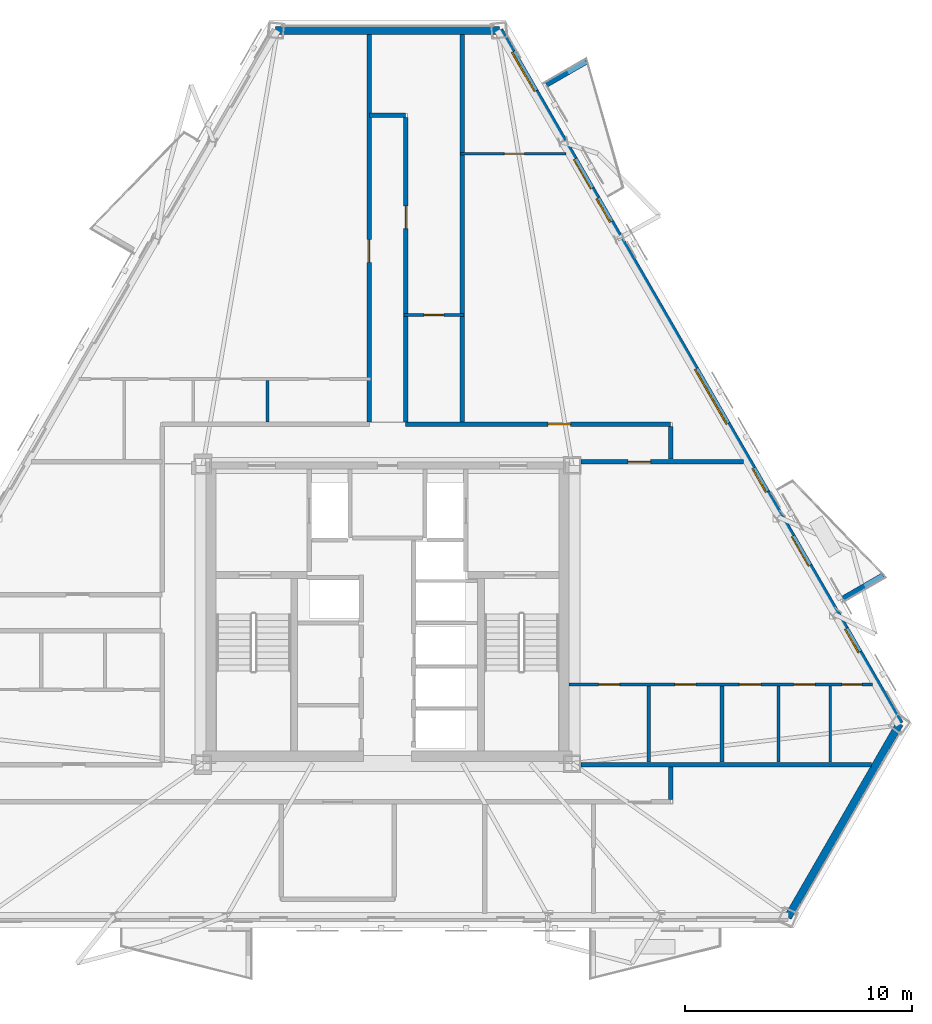
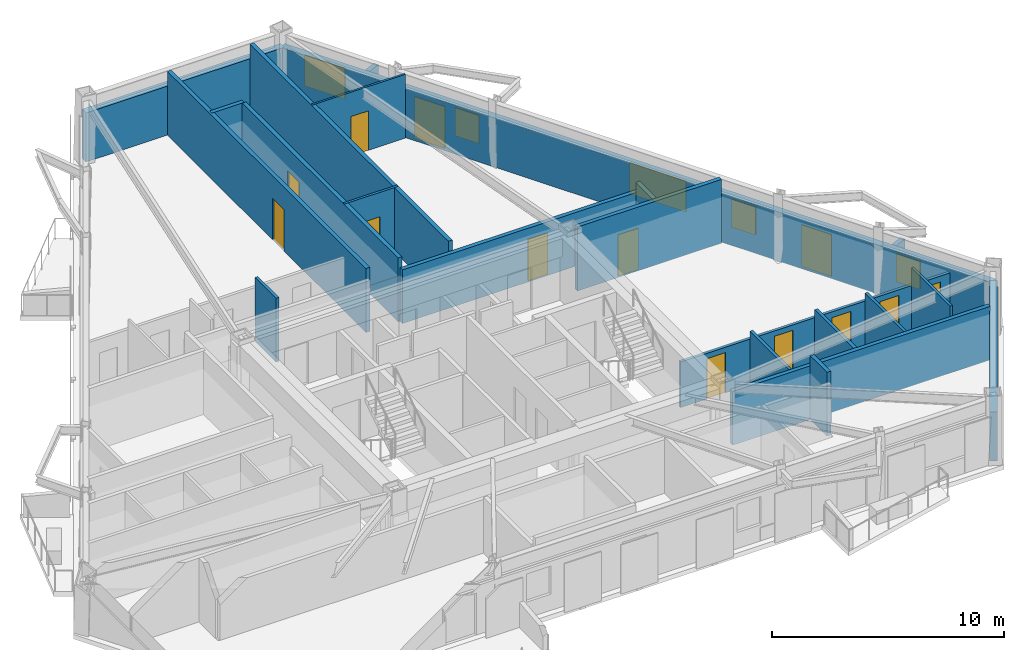
# One storey, part 5 of 9: 22 walls, 13 doors, 5 windows, 18 openings.
"""IFC4 building model written with IfcOpenShell, lengths in metres."""

from ifc_helpers import new_model, si_unit, direction, frame, frame_2d, origin, place, context, subcontext, project, spatial, polyline, rectangle, outline, extrude, material, layer, layer_set, type_object, element, fill, save


model = new_model("IFC4")

# Units and contexts
model_context = context("Model", 3, precision=1e-05, world=origin(), true_north=direction((0.0, 1.0)))
body_context = subcontext(model_context, "Body", "Model", "MODEL_VIEW")
ifc_project = project(units=[si_unit("LENGTHUNIT", "METRE"), si_unit("AREAUNIT", "SQUARE_METRE"), si_unit("VOLUMEUNIT", "CUBIC_METRE"), si_unit("PLANEANGLEUNIT", "RADIAN"), si_unit("MASSUNIT", "GRAM", prefix="KILO")], contexts=[model_context])

# Site, building, storey
site_placement = place(None, origin())
site = spatial("IfcSite", under=ifc_project, at=site_placement, CompositionType="ELEMENT")
building_placement = place(site_placement, origin())
building = spatial("IfcBuilding", under=site, at=building_placement, Name="Oramaril Tower", CompositionType="ELEMENT")
storey_placement = place(building_placement, frame((0.0, 0.0, 142.199951171875)))
storey = spatial("IfcBuildingStorey", under=building, at=storey_placement, Name="L37", CompositionType="ELEMENT", Elevation=142.199951171875)

# Wall
ifc_material_1 = material(Name="Warm Cream Limestone", Category="masonry")
ifc_layer_1 = layer(ifc_material_1, 0.340087890625)
ifc_layer_set_1 = layer_set([ifc_layer_1], Name="WT-EXT34")
wall_type_1 = type_object("IfcWallType", Name="WT-EXT34", PredefinedType="SOLIDWALL", material=ifc_layer_set_1)
wall_1_placement = place(storey_placement, frame((55.1669921875, 4.2001953125, 0.0), z_axis=(0.0, 0.0, 1.0), x_axis=(0.500014298586, 0.866017148335, 0.0)))
element("IfcWall", 1, at=wall_1_placement, inside=storey, type_object=wall_type_1, Name="L37 Tower Limestone Facade Wall 3M", PredefinedType="SOLIDWALL", context=body_context, shape_type="SweptSolid", body=[
    extrude(rectangle(XDim=9.872314453125, YDim=0.340087890625, at=frame_2d((4.93603515625, 0.0))), origin(), (0.0, 0.0, 1.0), 2.580078125),
])

# Wall, openings, doors, windows
wall_2_placement = place(storey_placement, frame((60.103271484375, 12.749755859375, 0.0), z_axis=(0.0, 0.0, 1.0), x_axis=(-0.500002563111, 0.866023923966, 0.0)))
wall_2 = element("IfcWall", 2, at=wall_2_placement, inside=storey, type_object=wall_type_1, Name="L37 Tower Limestone Facade Wall 4M", PredefinedType="SOLIDWALL", context=body_context, shape_type="SweptSolid", body=[
    extrude(rectangle(XDim=35.334228515625, YDim=0.340087890625, at=frame_2d((17.6669921875, 0.0))), origin(), (0.0, 0.0, 1.0), 2.580078125),
])
opening_1_placement = place(wall_2_placement, frame((8.034423828125, 0.0, 0.0)))
opening_1 = element("IfcOpeningElement", 3, at=opening_1_placement, cuts=wall_2, Name="Opening D-L37-BAL-NE1", PredefinedType="OPENING", context=body_context, shape_type="SweptSolid", body=[
    extrude(rectangle(XDim=1.5, YDim=2.199951171875, at=frame_2d((0.75, 1.10009765625))), frame((0.0, 0.169921875, 0.0), z_axis=(0.0, -1.0, 0.0), x_axis=(1.0, 0.0, 0.0)), (0.0, 0.0, 1.0), 0.340087890625),
])
opening_2_placement = place(wall_2_placement, frame((27.2548828125, 0.0, 0.0)))
opening_2 = element("IfcOpeningElement", 4, at=opening_2_placement, cuts=wall_2, Name="Opening D-L37-BAL-NE2", PredefinedType="OPENING", context=body_context, shape_type="SweptSolid", body=[
    extrude(rectangle(XDim=1.5, YDim=2.199951171875, at=frame_2d((0.75, 1.10009765625))), frame((0.0, 0.169921875, 0.0), z_axis=(0.0, -1.0, 0.0), x_axis=(1.0, 0.0, 0.0)), (0.0, 0.0, 1.0), 0.340087890625),
])
opening_3_placement = place(wall_2_placement, frame((3.6220703125, 0.0, 0.85009765625)))
opening_3 = element("IfcOpeningElement", 5, at=opening_3_placement, cuts=wall_2, Name="Opening WN-09", PredefinedType="OPENING", context=body_context, shape_type="SweptSolid", body=[
    extrude(rectangle(XDim=1.199951171875, YDim=1.47998046875, at=frame_2d((0.60009765625, 0.739990234375))), frame((0.0, 0.169921875, 0.0), z_axis=(0.0, -1.0, 0.0), x_axis=(1.0, 0.0, 0.0)), (0.0, 0.0, 1.0), 0.340087890625),
])
opening_4_placement = place(wall_2_placement, frame((11.80029296875, 0.0, 0.85009765625)))
opening_4 = element("IfcOpeningElement", 6, at=opening_4_placement, cuts=wall_2, Name="Opening WN-09", PredefinedType="OPENING", context=body_context, shape_type="SweptSolid", body=[
    extrude(rectangle(XDim=1.199951171875, YDim=1.47998046875, at=frame_2d((0.60009765625, 0.739990234375))), frame((0.0, 0.169921875, 0.0), z_axis=(0.0, -1.0, 0.0), x_axis=(1.0, 0.0, 0.0)), (0.0, 0.0, 1.0), 0.340087890625),
])
opening_5_placement = place(wall_2_placement, frame((15.267822265625, 0.0, 0.85009765625)))
opening_5 = element("IfcOpeningElement", 7, at=opening_5_placement, cuts=wall_2, Name="Opening WN-01", PredefinedType="OPENING", context=body_context, shape_type="SweptSolid", body=[
    extrude(rectangle(XDim=2.800048828125, YDim=1.6201171875, at=frame_2d((1.39990234375, 0.81005859375))), frame((0.0, 0.169921875, 0.0), z_axis=(0.0, -1.0, 0.0), x_axis=(1.0, 0.0, 0.0)), (0.0, 0.0, 1.0), 0.340087890625),
])
opening_6_placement = place(wall_2_placement, frame((25.555419921875, 0.0, 0.85009765625)))
opening_6 = element("IfcOpeningElement", 8, at=opening_6_placement, cuts=wall_2, Name="Opening WN-09", PredefinedType="OPENING", context=body_context, shape_type="SweptSolid", body=[
    extrude(rectangle(XDim=1.199951171875, YDim=1.47998046875, at=frame_2d((0.60009765625, 0.739990234375))), frame((0.0, 0.169921875, 0.0), z_axis=(0.0, -1.0, 0.0), x_axis=(1.0, 0.0, 0.0)), (0.0, 0.0, 1.0), 0.340087890625),
])
opening_7_placement = place(wall_2_placement, frame((32.218505859375, 0.0, 0.85009765625)))
opening_7 = element("IfcOpeningElement", 9, at=opening_7_placement, cuts=wall_2, Name="Opening WN-05", PredefinedType="OPENING", context=body_context, shape_type="SweptSolid", body=[
    extrude(rectangle(XDim=2.0, YDim=1.6201171875, at=frame_2d((1.0, 0.81005859375))), frame((0.0, 0.169921875, 0.0), z_axis=(0.0, -1.0, 0.0), x_axis=(1.0, 0.0, 0.0)), (0.0, 0.0, 1.0), 0.340087890625),
])
ifc_material_2 = material(Name="Anodised Aluminium 6063-T6", Category="aluminium")
door_type_1 = type_object("IfcDoorType", Name="DT-BAL", OperationType="NOTDEFINED", PredefinedType="DOOR", material=ifc_material_2)
door_1_placement = place(opening_1_placement, origin())
door_1 = element("IfcDoor", 10, at=door_1_placement, inside=storey, type_object=door_type_1, Name="L37 Balcony Glazed Door L37-BAL-NE1", OperationType="SINGLE_SWING_RIGHT", OverallHeight=2.199951171875, OverallWidth=1.5, PredefinedType="DOOR", context=body_context, shape_type="SweptSolid", body=[
    extrude(rectangle(XDim=1.5, YDim=2.199951171875, at=frame_2d((0.75, 1.10009765625))), frame((0.0, 0.02490234375, 0.0), z_axis=(0.0, -1.0, 0.0), x_axis=(1.0, 0.0, 0.0)), (0.0, 0.0, 1.0), 0.050048828125),
])
fill(opening_1, door_1)
door_2_placement = place(opening_2_placement, origin())
door_2 = element("IfcDoor", 11, at=door_2_placement, inside=storey, type_object=door_type_1, Name="L37 Balcony Glazed Door L37-BAL-NE2", OperationType="SINGLE_SWING_LEFT", OverallHeight=2.199951171875, OverallWidth=1.5, PredefinedType="DOOR", context=body_context, shape_type="SweptSolid", body=[
    extrude(rectangle(XDim=1.5, YDim=2.199951171875, at=frame_2d((0.75, 1.10009765625))), frame((0.0, 0.02490234375, 0.0), z_axis=(0.0, -1.0, 0.0), x_axis=(1.0, 0.0, 0.0)), (0.0, 0.0, 1.0), 0.050048828125),
])
fill(opening_2, door_2)
ifc_material_3 = material(Name="Coastal Low-E Insulated Glass", Category="glass")
window_type_1 = type_object("IfcWindowType", Name="WNT-01", PartitioningType="SINGLE_PANEL", PredefinedType="WINDOW", material=ifc_material_3)
window_1_placement = place(opening_5_placement, origin())
window_1 = element("IfcWindow", 12, at=window_1_placement, inside=storey, type_object=window_type_1, Name="L37 Chicago Bay Window WN-01", OverallHeight=1.6201171875, OverallWidth=2.800048828125, PartitioningType="SINGLE_PANEL", PredefinedType="WINDOW", context=body_context, shape_type="SweptSolid", body=[
    extrude(rectangle(XDim=2.800048828125, YDim=1.6201171875, at=frame_2d((1.39990234375, 0.81005859375))), frame((0.0, 0.030029296875, 0.0), z_axis=(0.0, -1.0, 0.0), x_axis=(1.0, 0.0, 0.0)), (0.0, 0.0, 1.0), 0.06005859375),
])
fill(opening_5, window_1)
ifc_material_4 = material(Name="Coastal Low-E Insulated Glass", Category="glass")
window_type_2 = type_object("IfcWindowType", Name="WNT-05", PartitioningType="SINGLE_PANEL", PredefinedType="WINDOW", material=ifc_material_4)
window_2_placement = place(opening_7_placement, origin())
window_2 = element("IfcWindow", 13, at=window_2_placement, inside=storey, type_object=window_type_2, Name="L37 Chicago Bay Window WN-05", OverallHeight=1.6201171875, OverallWidth=2.0, PartitioningType="SINGLE_PANEL", PredefinedType="WINDOW", context=body_context, shape_type="SweptSolid", body=[
    extrude(rectangle(XDim=2.0, YDim=1.6201171875, at=frame_2d((1.0, 0.81005859375))), frame((0.0, 0.030029296875, 0.0), z_axis=(0.0, -1.0, 0.0), x_axis=(1.0, 0.0, 0.0)), (0.0, 0.0, 1.0), 0.06005859375),
])
fill(opening_7, window_2)
ifc_material_5 = material(Name="Coastal Low-E Insulated Glass", Category="glass")
window_type_3 = type_object("IfcWindowType", Name="WNT-09", PartitioningType="SINGLE_PANEL", PredefinedType="WINDOW", material=ifc_material_5)
window_3_placement = place(opening_3_placement, origin())
window_3 = element("IfcWindow", 14, at=window_3_placement, inside=storey, type_object=window_type_3, Name="L37 Chicago Bay Window WN-09", OverallHeight=1.47998046875, OverallWidth=1.199951171875, PartitioningType="SINGLE_PANEL", PredefinedType="WINDOW", context=body_context, shape_type="SweptSolid", body=[
    extrude(rectangle(XDim=1.199951171875, YDim=1.47998046875, at=frame_2d((0.60009765625, 0.739990234375))), frame((0.0, 0.030029296875, 0.0), z_axis=(0.0, -1.0, 0.0), x_axis=(1.0, 0.0, 0.0)), (0.0, 0.0, 1.0), 0.06005859375),
])
fill(opening_3, window_3)
window_4_placement = place(opening_4_placement, origin())
window_4 = element("IfcWindow", 15, at=window_4_placement, inside=storey, type_object=window_type_3, Name="L37 Chicago Bay Window WN-09", OverallHeight=1.47998046875, OverallWidth=1.199951171875, PartitioningType="SINGLE_PANEL", PredefinedType="WINDOW", context=body_context, shape_type="SweptSolid", body=[
    extrude(rectangle(XDim=1.199951171875, YDim=1.47998046875, at=frame_2d((0.60009765625, 0.739990234375))), frame((0.0, 0.030029296875, 0.0), z_axis=(0.0, -1.0, 0.0), x_axis=(1.0, 0.0, 0.0)), (0.0, 0.0, 1.0), 0.06005859375),
])
fill(opening_4, window_4)
window_5_placement = place(opening_6_placement, origin())
window_5 = element("IfcWindow", 16, at=window_5_placement, inside=storey, type_object=window_type_3, Name="L37 Chicago Bay Window WN-09", OverallHeight=1.47998046875, OverallWidth=1.199951171875, PartitioningType="SINGLE_PANEL", PredefinedType="WINDOW", context=body_context, shape_type="SweptSolid", body=[
    extrude(rectangle(XDim=1.199951171875, YDim=1.47998046875, at=frame_2d((0.60009765625, 0.739990234375))), frame((0.0, 0.030029296875, 0.0), z_axis=(0.0, -1.0, 0.0), x_axis=(1.0, 0.0, 0.0)), (0.0, 0.0, 1.0), 0.06005859375),
])
fill(opening_6, window_5)

# Walls
wall_3_placement = place(storey_placement, frame((42.43603515625, 43.35009765625, 0.0), z_axis=(0.0, 0.0, 1.0), x_axis=(-1.0, 0.0, 0.0)))
element("IfcWall", 17, at=wall_3_placement, inside=storey, type_object=wall_type_1, Name="L37 Tower Limestone Facade Wall 5M", PredefinedType="SOLIDWALL", context=body_context, shape_type="SweptSolid", body=[
    extrude(rectangle(XDim=9.8720703125, YDim=0.340087890625, at=frame_2d((4.93603515625, 0.0))), origin(), (0.0, 0.0, 1.0), 2.580078125),
])
ifc_material_6 = material(Name="Concrete C40/50", Category="concrete")
ifc_layer_2 = layer(ifc_material_6, 0.22998046875)
ifc_layer_set_2 = layer_set([ifc_layer_2], Name="WT-PRP23")
wall_type_2 = type_object("IfcWallType", Name="WT-PRP23", PredefinedType="PARAPET", material=ifc_layer_set_2)
for number, where, z_axis, x_axis, name in (
    (18, (57.601318359375, 18.279052734375, 0.0), (0.0, 0.0, 1.0), (0.866042246008, 0.499970827278, 0.0), "L37 Trapezoidal Balcony Frame Cheek L37-BAL-NE1-L"),
    (19, (44.51123046875, 40.951904296875, 0.0), (0.0, 0.0, 1.0), (0.866012356593, 0.500022597718, 0.0), "L37 Trapezoidal Balcony Frame Cheek L37-BAL-NE2-R"),
):
    element("IfcWall", number, at=place(storey_placement, frame(where, z_axis=z_axis, x_axis=x_axis)), inside=storey, type_object=wall_type_2, Name=name, PredefinedType="PARAPET", context=body_context, shape_type="SweptSolid", body=[
        extrude(outline(polyline([(0.0, 0.0), (2.0419921875, 0.0), (2.0419921875, 1.10009765625), (0.0, 1.320068359375), (0.0, 0.0)])), frame((0.0, 0.114990234375, 0.0), z_axis=(0.0, -1.0, 0.0), x_axis=(1.0, 0.0, 0.0)), (0.0, 0.0, 1.0), 0.22998046875),
    ])

# Wall, opening, door
ifc_material_7 = material(Name="Acoustic Gypsum Board Partition")
ifc_layer_3 = layer(ifc_material_7, 0.10009765625)
ifc_layer_set_3 = layer_set([ifc_layer_3], Name="WT-PT10")
wall_type_3 = type_object("IfcWallType", Name="WT-PT10", PredefinedType="PARTITIONING", material=ifc_layer_set_3)
wall_4_placement = place(storey_placement, frame((40.718017578125, 37.909912109375, 0.0), z_axis=(0.0, 0.0, 1.0), x_axis=(1.0, 0.0, 0.0)))
wall_4 = element("IfcWall", 20, at=wall_4_placement, inside=storey, type_object=wall_type_3, Name="L37 Interior Partition PT-10", PredefinedType="PARTITIONING", context=body_context, shape_type="SweptSolid", body=[
    extrude(rectangle(XDim=4.657958984375, YDim=0.10009765625, at=frame_2d((2.3291015625, 0.0))), origin(), (0.0, 0.0, 1.0), 3.360107421875),
])
opening_8_placement = place(wall_4_placement, frame((1.943603515625, 0.0, 0.0)))
opening_8 = element("IfcOpeningElement", 21, at=opening_8_placement, cuts=wall_4, Name="Opening D-L37-21", PredefinedType="OPENING", context=body_context, shape_type="SweptSolid", body=[
    extrude(rectangle(XDim=0.8798828125, YDim=2.080078125, at=frame_2d((0.43994140625, 1.0400390625))), frame((0.0, 0.050048828125, 0.0), z_axis=(0.0, -1.0, 0.0), x_axis=(1.0, 0.0, 0.0)), (0.0, 0.0, 1.0), 0.10009765625),
])
ifc_material_8 = material(Name="FSC Brazilian Freijo Hardwood", Category="wood")
door_type_2 = type_object("IfcDoorType", Name="DT-BATH", OperationType="NOTDEFINED", PredefinedType="DOOR", material=ifc_material_8)
door_3_placement = place(opening_8_placement, origin())
door_3 = element("IfcDoor", 22, at=door_3_placement, inside=storey, type_object=door_type_2, Name="L37 Flat L37-U8 Bathroom Door D-L37-21", OperationType="SINGLE_SWING_RIGHT", OverallHeight=2.080078125, OverallWidth=0.8798828125, PredefinedType="DOOR", context=body_context, shape_type="SweptSolid", body=[
    extrude(rectangle(XDim=0.8798828125, YDim=2.080078125, at=frame_2d((0.43994140625, 1.0400390625))), frame((0.0, 0.02490234375, 0.0), z_axis=(0.0, -1.0, 0.0), x_axis=(1.0, 0.0, 0.0)), (0.0, 0.0, 1.0), 0.050048828125),
])
fill(opening_8, door_3)

ifc_material_9 = material(Name="Acoustic Gypsum Board Partition")
ifc_layer_4 = layer(ifc_material_9, 0.1201171875)
ifc_layer_set_4 = layer_set([ifc_layer_4], Name="WT-PT12")
wall_type_4 = type_object("IfcWallType", Name="WT-PT12", PredefinedType="PARTITIONING", material=ifc_layer_set_4)
wall_5_placement = place(storey_placement, frame((38.218017578125, 30.7900390625, 0.0), z_axis=(0.0, 0.0, 1.0), x_axis=(1.0, 0.0, 0.0)))
wall_5 = element("IfcWall", 23, at=wall_5_placement, inside=storey, type_object=wall_type_4, Name="L37 Interior Partition PT-12", PredefinedType="PARTITIONING", context=body_context, shape_type="SweptSolid", body=[
    extrude(rectangle(XDim=2.6640625, YDim=0.1201171875, at=frame_2d((1.33203125, 0.0))), origin(), (0.0, 0.0, 1.0), 3.360107421875),
])
opening_9_placement = place(wall_5_placement, frame((0.89208984375, 0.0, 0.0)))
opening_9 = element("IfcOpeningElement", 24, at=opening_9_placement, cuts=wall_5, Name="Opening D-L37-20", PredefinedType="OPENING", context=body_context, shape_type="SweptSolid", body=[
    extrude(rectangle(XDim=0.8798828125, YDim=2.080078125, at=frame_2d((0.43994140625, 1.0400390625))), frame((0.0, 0.06005859375, 0.0), z_axis=(0.0, -1.0, 0.0), x_axis=(1.0, 0.0, 0.0)), (0.0, 0.0, 1.0), 0.1201171875),
])
door_4_placement = place(opening_9_placement, origin())
door_4 = element("IfcDoor", 25, at=door_4_placement, inside=storey, type_object=door_type_2, Name="L37 Flat L37-U7 Bathroom Door D-L37-20", OperationType="SINGLE_SWING_LEFT", OverallHeight=2.080078125, OverallWidth=0.8798828125, PredefinedType="DOOR", context=body_context, shape_type="SweptSolid", body=[
    extrude(rectangle(XDim=0.8798828125, YDim=2.080078125, at=frame_2d((0.43994140625, 1.0400390625))), frame((0.0, 0.02490234375, 0.0), z_axis=(0.0, -1.0, 0.0), x_axis=(1.0, 0.0, 0.0)), (0.0, 0.0, 1.0), 0.050048828125),
])
fill(opening_9, door_4)

# Wall
wall_6_placement = place(storey_placement, frame((57.0400390625, 11.053955078125, 0.0), z_axis=(0.0, 0.0, 1.0), x_axis=(0.0, 1.0, 0.0)))
element("IfcWall", 26, at=wall_6_placement, inside=storey, type_object=wall_type_4, Name="L37 Interior Partition PT-12", PredefinedType="PARTITIONING", context=body_context, shape_type="SweptSolid", body=[
    extrude(rectangle(XDim=3.35205078125, YDim=0.1201171875, at=frame_2d((1.676025390625, 0.0))), origin(), (0.0, 0.0, 1.0), 3.360107421875),
])

# Wall, openings, doors
ifc_material_10 = material(Name="Acoustic Gypsum Board Partition")
ifc_layer_5 = layer(ifc_material_10, 0.139892578125)
ifc_layer_set_5 = layer_set([ifc_layer_5], Name="WT-PT14")
wall_type_5 = type_object("IfcWallType", Name="WT-PT14", PredefinedType="PARTITIONING", material=ifc_layer_set_5)
wall_7_placement = place(storey_placement, frame((45.513916015625, 14.47998046875, 0.0), z_axis=(0.0, 0.0, 1.0), x_axis=(1.0, 0.0, 0.0)))
wall_7 = element("IfcWall", 27, at=wall_7_placement, inside=storey, type_object=wall_type_5, Name="L37 Interior Partition PT-14", PredefinedType="PARTITIONING", context=body_context, shape_type="SweptSolid", body=[
    extrude(rectangle(XDim=13.389404296875, YDim=0.139892578125, at=frame_2d((6.69482421875, 0.0))), origin(), (0.0, 0.0, 1.0), 2.400146484375),
])
opening_10_placement = place(wall_7_placement, frame((1.30810546875, 0.0, 0.0)))
opening_10 = element("IfcOpeningElement", 28, at=opening_10_placement, cuts=wall_7, Name="Opening D-L37-08", PredefinedType="OPENING", context=body_context, shape_type="SweptSolid", body=[
    extrude(rectangle(XDim=0.919921875, YDim=2.1201171875, at=frame_2d((0.4599609375, 1.06005859375))), frame((0.0, 0.06982421875, 0.0), z_axis=(0.0, -1.0, 0.0), x_axis=(1.0, 0.0, 0.0)), (0.0, 0.0, 1.0), 0.139892578125),
])
opening_11_placement = place(wall_7_placement, frame((4.673828125, 0.0, 0.0)))
opening_11 = element("IfcOpeningElement", 29, at=opening_11_placement, cuts=wall_7, Name="Opening D-L37-09", PredefinedType="OPENING", context=body_context, shape_type="SweptSolid", body=[
    extrude(rectangle(XDim=0.919921875, YDim=2.1201171875, at=frame_2d((0.4599609375, 1.06005859375))), frame((0.0, 0.06982421875, 0.0), z_axis=(0.0, -1.0, 0.0), x_axis=(1.0, 0.0, 0.0)), (0.0, 0.0, 1.0), 0.139892578125),
])
opening_12_placement = place(wall_7_placement, frame((7.517578125, 0.0, 0.0)))
opening_12 = element("IfcOpeningElement", 30, at=opening_12_placement, cuts=wall_7, Name="Opening D-L37-10", PredefinedType="OPENING", context=body_context, shape_type="SweptSolid", body=[
    extrude(rectangle(XDim=0.949951171875, YDim=2.10009765625, at=frame_2d((0.47509765625, 1.050048828125))), frame((0.0, 0.06982421875, 0.0), z_axis=(0.0, -1.0, 0.0), x_axis=(1.0, 0.0, 0.0)), (0.0, 0.0, 1.0), 0.139892578125),
])
opening_13_placement = place(wall_7_placement, frame((9.9072265625, 0.0, 0.0)))
opening_13 = element("IfcOpeningElement", 31, at=opening_13_placement, cuts=wall_7, Name="Opening D-L37-11", PredefinedType="OPENING", context=body_context, shape_type="SweptSolid", body=[
    extrude(rectangle(XDim=0.949951171875, YDim=2.10009765625, at=frame_2d((0.47509765625, 1.050048828125))), frame((0.0, 0.06982421875, 0.0), z_axis=(0.0, -1.0, 0.0), x_axis=(1.0, 0.0, 0.0)), (0.0, 0.0, 1.0), 0.139892578125),
])
opening_14_placement = place(wall_7_placement, frame((12.046875, 0.0, 0.0)))
opening_14 = element("IfcOpeningElement", 32, at=opening_14_placement, cuts=wall_7, Name="Opening D-L37-12", PredefinedType="OPENING", context=body_context, shape_type="SweptSolid", body=[
    extrude(rectangle(XDim=0.8798828125, YDim=2.080078125, at=frame_2d((0.43994140625, 1.0400390625))), frame((0.0, 0.06982421875, 0.0), z_axis=(0.0, -1.0, 0.0), x_axis=(1.0, 0.0, 0.0)), (0.0, 0.0, 1.0), 0.139892578125),
])
door_5_placement = place(opening_14_placement, origin())
door_5 = element("IfcDoor", 33, at=door_5_placement, inside=storey, type_object=door_type_2, Name="L37 Flat L37-U5 Bathroom Door D-L37-12", OperationType="SINGLE_SWING_LEFT", OverallHeight=2.080078125, OverallWidth=0.8798828125, PredefinedType="DOOR", context=body_context, shape_type="SweptSolid", body=[
    extrude(rectangle(XDim=0.8798828125, YDim=2.080078125, at=frame_2d((0.43994140625, 1.0400390625))), frame((0.0, 0.02490234375, 0.0), z_axis=(0.0, -1.0, 0.0), x_axis=(1.0, 0.0, 0.0)), (0.0, 0.0, 1.0), 0.050048828125),
])
fill(opening_14, door_5)
ifc_material_11 = material(Name="FSC Brazilian Freijo Hardwood", Category="wood")
door_type_3 = type_object("IfcDoorType", Name="DT-BED", OperationType="NOTDEFINED", PredefinedType="DOOR", material=ifc_material_11)
door_6_placement = place(opening_10_placement, origin())
door_6 = element("IfcDoor", 34, at=door_6_placement, inside=storey, type_object=door_type_3, Name="L37 Flat L37-U5 Master Bedroom Door D-L37-08", OperationType="SINGLE_SWING_LEFT", OverallHeight=2.1201171875, OverallWidth=0.919921875, PredefinedType="DOOR", context=body_context, shape_type="SweptSolid", body=[
    extrude(rectangle(XDim=0.919921875, YDim=2.1201171875, at=frame_2d((0.4599609375, 1.06005859375))), frame((0.0, 0.02490234375, 0.0), z_axis=(0.0, -1.0, 0.0), x_axis=(1.0, 0.0, 0.0)), (0.0, 0.0, 1.0), 0.050048828125),
])
fill(opening_10, door_6)
door_7_placement = place(opening_11_placement, origin())
door_7 = element("IfcDoor", 35, at=door_7_placement, inside=storey, type_object=door_type_3, Name="L37 Flat L37-U5 Bedroom 2 Door D-L37-09", OperationType="SINGLE_SWING_RIGHT", OverallHeight=2.1201171875, OverallWidth=0.919921875, PredefinedType="DOOR", context=body_context, shape_type="SweptSolid", body=[
    extrude(rectangle(XDim=0.919921875, YDim=2.1201171875, at=frame_2d((0.4599609375, 1.06005859375))), frame((0.0, 0.02490234375, 0.0), z_axis=(0.0, -1.0, 0.0), x_axis=(1.0, 0.0, 0.0)), (0.0, 0.0, 1.0), 0.050048828125),
])
fill(opening_11, door_7)
ifc_material_12 = material(Name="FSC Brazilian Freijo Hardwood", Category="wood")
door_type_4 = type_object("IfcDoorType", Name="DT-STDY", OperationType="NOTDEFINED", PredefinedType="DOOR", material=ifc_material_12)
door_8_placement = place(opening_12_placement, origin())
door_8 = element("IfcDoor", 36, at=door_8_placement, inside=storey, type_object=door_type_4, Name="L37 Flat L37-U5 Breakfast Dining Room Door D-L37-10", OperationType="SINGLE_SWING_LEFT", OverallHeight=2.10009765625, OverallWidth=0.949951171875, PredefinedType="DOOR", context=body_context, shape_type="SweptSolid", body=[
    extrude(rectangle(XDim=0.949951171875, YDim=2.10009765625, at=frame_2d((0.47509765625, 1.050048828125))), frame((0.0, 0.02490234375, 0.0), z_axis=(0.0, -1.0, 0.0), x_axis=(1.0, 0.0, 0.0)), (0.0, 0.0, 1.0), 0.050048828125),
])
fill(opening_12, door_8)
door_9_placement = place(opening_13_placement, origin())
door_9 = element("IfcDoor", 37, at=door_9_placement, inside=storey, type_object=door_type_4, Name="L37 Flat L37-U5 Kitchen Door D-L37-11", OperationType="SINGLE_SWING_RIGHT", OverallHeight=2.10009765625, OverallWidth=0.949951171875, PredefinedType="DOOR", context=body_context, shape_type="SweptSolid", body=[
    extrude(rectangle(XDim=0.949951171875, YDim=2.10009765625, at=frame_2d((0.47509765625, 1.050048828125))), frame((0.0, 0.02490234375, 0.0), z_axis=(0.0, -1.0, 0.0), x_axis=(1.0, 0.0, 0.0)), (0.0, 0.0, 1.0), 0.050048828125),
])
fill(opening_13, door_9)

# Walls
wall_8_placement = place(storey_placement, frame((32.2099609375, 26.073974609375, 0.0), z_axis=(0.0, 0.0, 1.0), x_axis=(0.0, 1.0, 0.0)))
element("IfcWall", 38, at=wall_8_placement, inside=storey, type_object=wall_type_5, Name="L37 Interior Partition PT-14", PredefinedType="PARTITIONING", context=body_context, shape_type="SweptSolid", body=[
    extrude(rectangle(XDim=1.822021484375, YDim=0.139892578125, at=frame_2d((0.9111328125, 0.0))), origin(), (0.0, 0.0, 1.0), 3.360107421875),
])
for number, where, z_axis, x_axis, name in (
    (39, (49.030029296875, 11.053955078125, 0.0), (0.0, 0.0, 1.0), (0.0, 1.0, 0.0), "L37 Interior Partition PT-14"),
    (40, (54.75, 11.053955078125, 0.0), (0.0, 0.0, 1.0), (0.0, 1.0, 0.0), "L37 Interior Partition PT-14"),
):
    element("IfcWall", number, at=place(storey_placement, frame(where, z_axis=z_axis, x_axis=x_axis)), inside=storey, type_object=wall_type_5, Name=name, PredefinedType="PARTITIONING", context=body_context, shape_type="SweptSolid", body=[
        extrude(rectangle(XDim=3.35205078125, YDim=0.139892578125, at=frame_2d((1.676025390625, 0.0))), origin(), (0.0, 0.0, 1.0), 2.822021484375),
    ])
ifc_material_13 = material(Name="Acoustic Gypsum Board Partition")
ifc_layer_6 = layer(ifc_material_13, 0.159912109375)
ifc_layer_set_6 = layer_set([ifc_layer_6], Name="WT-PT16")
wall_type_6 = type_object("IfcWallType", Name="WT-PT16", PredefinedType="PARTITIONING", material=ifc_layer_set_6)
wall_9_placement = place(storey_placement, frame((52.260009765625, 11.053955078125, 0.0), z_axis=(0.0, 0.0, 1.0), x_axis=(0.0, 1.0, 0.0)))
element("IfcWall", 41, at=wall_9_placement, inside=storey, type_object=wall_type_6, Name="L37 Interior Partition PT-16", PredefinedType="PARTITIONING", context=body_context, shape_type="SweptSolid", body=[
    extrude(rectangle(XDim=3.35205078125, YDim=0.159912109375, at=frame_2d((1.676025390625, 0.0))), origin(), (0.0, 0.0, 1.0), 2.822021484375),
])
ifc_material_14 = material(Name="Autoclaved Cellular Concrete Block", Category="concrete")
ifc_layer_7 = layer(ifc_material_14, 0.199951171875)
ifc_layer_set_7 = layer_set([ifc_layer_7], Name="WT-PT20")
wall_type_7 = type_object("IfcWallType", Name="WT-PT20", PredefinedType="PARTITIONING", material=ifc_layer_set_7)
wall_10_placement = place(storey_placement, frame((46.0400390625, 10.949951171875, 0.0), z_axis=(0.0, 0.0, 1.0), x_axis=(1.0, 0.0, 0.0)))
element("IfcWall", 42, at=wall_10_placement, inside=storey, type_object=wall_type_7, Name="L37 Interior Partition PT-20", PredefinedType="PARTITIONING", context=body_context, shape_type="SweptSolid", body=[
    extrude(rectangle(XDim=12.8232421875, YDim=0.199951171875, at=frame_2d((6.41162109375, 0.0))), origin(), (0.0, 0.0, 1.0), 2.822021484375),
])

# Wall, opening, door
wall_11_placement = place(storey_placement, frame((46.0400390625, 24.320068359375, 0.0), z_axis=(0.0, 0.0, 1.0), x_axis=(1.0, 0.0, 0.0)))
wall_11 = element("IfcWall", 43, at=wall_11_placement, inside=storey, type_object=wall_type_7, Name="L37 Interior Partition PT-20", PredefinedType="PARTITIONING", context=body_context, shape_type="SweptSolid", body=[
    extrude(rectangle(XDim=7.18212890625, YDim=0.199951171875, at=frame_2d((3.591064453125, 0.0))), origin(), (0.0, 0.0, 1.0), 3.360107421875),
])
opening_15_placement = place(wall_11_placement, frame((2.076904296875, 0.0, 0.0)))
opening_15 = element("IfcOpeningElement", 44, at=opening_15_placement, cuts=wall_11, Name="Opening D-L37-14", PredefinedType="OPENING", context=body_context, shape_type="SweptSolid", body=[
    extrude(rectangle(XDim=1.0, YDim=2.179931640625, at=frame_2d((0.5, 1.08984375))), frame((0.0, 0.10009765625, 0.0), z_axis=(0.0, -1.0, 0.0), x_axis=(1.0, 0.0, 0.0)), (0.0, 0.0, 1.0), 0.199951171875),
])
ifc_material_15 = material(Name="FSC Brazilian Freijo Hardwood", Category="wood")
door_type_5 = type_object("IfcDoorType", Name="DT-APT", OperationType="NOTDEFINED", PredefinedType="DOOR", material=ifc_material_15)
door_10_placement = place(opening_15_placement, origin())
door_10 = element("IfcDoor", 45, at=door_10_placement, inside=storey, type_object=door_type_5, Name="L37 Flat L37-U5 Penthouse 2-Bedroom Living and Dining Room Door D-L37-14", OperationType="SINGLE_SWING_LEFT", OverallHeight=2.179931640625, OverallWidth=1.0, PredefinedType="DOOR", context=body_context, shape_type="SweptSolid", body=[
    extrude(rectangle(XDim=1.0, YDim=2.179931640625, at=frame_2d((0.5, 1.08984375))), frame((0.0, 0.02490234375, 0.0), z_axis=(0.0, -1.0, 0.0), x_axis=(1.0, 0.0, 0.0)), (0.0, 0.0, 1.0), 0.050048828125),
])
fill(opening_15, door_10)

wall_12_placement = place(storey_placement, frame((38.300048828125, 25.969970703125, 0.0), z_axis=(0.0, 0.0, 1.0), x_axis=(1.0, 0.0, 0.0)))
wall_12 = element("IfcWall", 46, at=wall_12_placement, inside=storey, type_object=wall_type_7, Name="L37 Interior Partition PT-20", PredefinedType="PARTITIONING", context=body_context, shape_type="SweptSolid", body=[
    extrude(rectangle(XDim=11.699951171875, YDim=0.199951171875, at=frame_2d((5.85009765625, 0.0))), origin(), (0.0, 0.0, 1.0), 2.822021484375),
])
opening_16_placement = place(wall_12_placement, frame((6.2841796875, 0.0, 0.0)))
opening_16 = element("IfcOpeningElement", 47, at=opening_16_placement, cuts=wall_12, Name="Opening D-L37-15", PredefinedType="OPENING", context=body_context, shape_type="SweptSolid", body=[
    extrude(rectangle(XDim=1.0, YDim=2.179931640625, at=frame_2d((0.5, 1.08984375))), frame((0.0, 0.10009765625, 0.0), z_axis=(0.0, -1.0, 0.0), x_axis=(1.0, 0.0, 0.0)), (0.0, 0.0, 1.0), 0.199951171875),
])
door_11_placement = place(opening_16_placement, origin())
door_11 = element("IfcDoor", 48, at=door_11_placement, inside=storey, type_object=door_type_5, Name="L37 Flat L37-U8 Kitchen and Studio Apartment Door D-L37-15", OperationType="SINGLE_SWING_RIGHT", OverallHeight=2.179931640625, OverallWidth=1.0, PredefinedType="DOOR", context=body_context, shape_type="SweptSolid", body=[
    extrude(rectangle(XDim=1.0, YDim=2.179931640625, at=frame_2d((0.5, 1.08984375))), frame((0.0, 0.02490234375, 0.0), z_axis=(0.0, -1.0, 0.0), x_axis=(1.0, 0.0, 0.0)), (0.0, 0.0, 1.0), 0.050048828125),
])
fill(opening_16, door_11)

# Wall
wall_13_placement = place(storey_placement, frame((36.699951171875, 39.60009765625, 0.0), z_axis=(0.0, 0.0, 1.0), x_axis=(1.0, 0.0, 0.0)))
element("IfcWall", 49, at=wall_13_placement, inside=storey, type_object=wall_type_7, Name="L37 Interior Partition PT-20", PredefinedType="PARTITIONING", context=body_context, shape_type="SweptSolid", body=[
    extrude(rectangle(XDim=1.60009765625, YDim=0.199951171875, at=frame_2d((0.800048828125, 0.0))), origin(), (0.0, 0.0, 1.0), 3.360107421875),
])

# Wall, opening, door
wall_14_placement = place(storey_placement, frame((36.699951171875, 26.073974609375, 0.0), z_axis=(0.0, 0.0, 1.0), x_axis=(0.0, 1.0, 0.0)))
wall_14 = element("IfcWall", 50, at=wall_14_placement, inside=storey, type_object=wall_type_7, Name="L37 Interior Partition PT-20", PredefinedType="PARTITIONING", context=body_context, shape_type="SweptSolid", body=[
    extrude(rectangle(XDim=17.10205078125, YDim=0.199951171875, at=frame_2d((8.551025390625, 0.0))), origin(), (0.0, 0.0, 1.0), 3.360107421875),
])
opening_17_placement = place(wall_14_placement, frame((7.04150390625, 0.0, 0.0)))
opening_17 = element("IfcOpeningElement", 51, at=opening_17_placement, cuts=wall_14, Name="Opening D-L37-23", PredefinedType="OPENING", context=body_context, shape_type="SweptSolid", body=[
    extrude(rectangle(XDim=1.0, YDim=2.179931640625, at=frame_2d((0.5, 1.08984375))), frame((0.0, 0.10009765625, 0.0), z_axis=(0.0, -1.0, 0.0), x_axis=(1.0, 0.0, 0.0)), (0.0, 0.0, 1.0), 0.199951171875),
])
door_12_placement = place(opening_17_placement, origin())
door_12 = element("IfcDoor", 52, at=door_12_placement, inside=storey, type_object=door_type_5, Name="L37 Flat L37-U6 Penthouse Living and Dining Room Door D-L37-23", OperationType="SINGLE_SWING_RIGHT", OverallHeight=2.179931640625, OverallWidth=1.0, PredefinedType="DOOR", context=body_context, shape_type="SweptSolid", body=[
    extrude(rectangle(XDim=1.0, YDim=2.179931640625, at=frame_2d((0.5, 1.08984375))), frame((0.0, 0.02490234375, 0.0), z_axis=(0.0, -1.0, 0.0), x_axis=(1.0, 0.0, 0.0)), (0.0, 0.0, 1.0), 0.050048828125),
])
fill(opening_17, door_12)

wall_15_placement = place(storey_placement, frame((38.300048828125, 26.073974609375, 0.0), z_axis=(0.0, 0.0, 1.0), x_axis=(0.0, 1.0, 0.0)))
wall_15 = element("IfcWall", 53, at=wall_15_placement, inside=storey, type_object=wall_type_7, Name="L37 Interior Partition PT-20", PredefinedType="PARTITIONING", context=body_context, shape_type="SweptSolid", body=[
    extrude(rectangle(XDim=13.422119140625, YDim=0.199951171875, at=frame_2d((6.7109375, 0.0))), origin(), (0.0, 0.0, 1.0), 3.360107421875),
])
opening_18_placement = place(wall_15_placement, frame((8.528076171875, 0.0, 0.0)))
opening_18 = element("IfcOpeningElement", 54, at=opening_18_placement, cuts=wall_15, Name="Opening D-L37-24", PredefinedType="OPENING", context=body_context, shape_type="SweptSolid", body=[
    extrude(rectangle(XDim=1.0, YDim=2.179931640625, at=frame_2d((0.5, 1.08984375))), frame((0.0, 0.10009765625, 0.0), z_axis=(0.0, -1.0, 0.0), x_axis=(1.0, 0.0, 0.0)), (0.0, 0.0, 1.0), 0.199951171875),
])
door_13_placement = place(opening_18_placement, origin())
door_13 = element("IfcDoor", 55, at=door_13_placement, inside=storey, type_object=door_type_5, Name="L37 Flat L37-U7 Kitchen and Studio Apartment Door D-L37-24", OperationType="SINGLE_SWING_LEFT", OverallHeight=2.179931640625, OverallWidth=1.0, PredefinedType="DOOR", context=body_context, shape_type="SweptSolid", body=[
    extrude(rectangle(XDim=1.0, YDim=2.179931640625, at=frame_2d((0.5, 1.08984375))), frame((0.0, 0.02490234375, 0.0), z_axis=(0.0, -1.0, 0.0), x_axis=(1.0, 0.0, 0.0)), (0.0, 0.0, 1.0), 0.050048828125),
])
fill(opening_18, door_13)

# Walls
wall_16_placement = place(storey_placement, frame((40.800048828125, 26.073974609375, 0.0), z_axis=(0.0, 0.0, 1.0), x_axis=(0.0, 1.0, 0.0)))
element("IfcWall", 56, at=wall_16_placement, inside=storey, type_object=wall_type_7, Name="L37 Interior Partition PT-20", PredefinedType="PARTITIONING", context=body_context, shape_type="SweptSolid", body=[
    extrude(rectangle(XDim=17.10205078125, YDim=0.199951171875, at=frame_2d((8.551025390625, 0.0))), origin(), (0.0, 0.0, 1.0), 3.360107421875),
])
for number, where, z_axis, x_axis, name in (
    (57, (50.0, 9.404052734375, 0.0), (0.0, 0.0, 1.0), (0.0, 1.0, 0.0), "L37 Interior Partition PT-20"),
    (58, (50.0, 24.424072265625, 0.0), (0.0, 0.0, 1.0), (0.0, 1.0, 0.0), "L37 Interior Partition PT-20"),
):
    element("IfcWall", number, at=place(storey_placement, frame(where, z_axis=z_axis, x_axis=x_axis)), inside=storey, type_object=wall_type_7, Name=name, PredefinedType="PARTITIONING", context=body_context, shape_type="SweptSolid", body=[
        extrude(rectangle(XDim=1.44189453125, YDim=0.199951171875, at=frame_2d((0.720947265625, 0.0))), origin(), (0.0, 0.0, 1.0), 3.360107421875),
    ])

save(model, "model.ifc")
